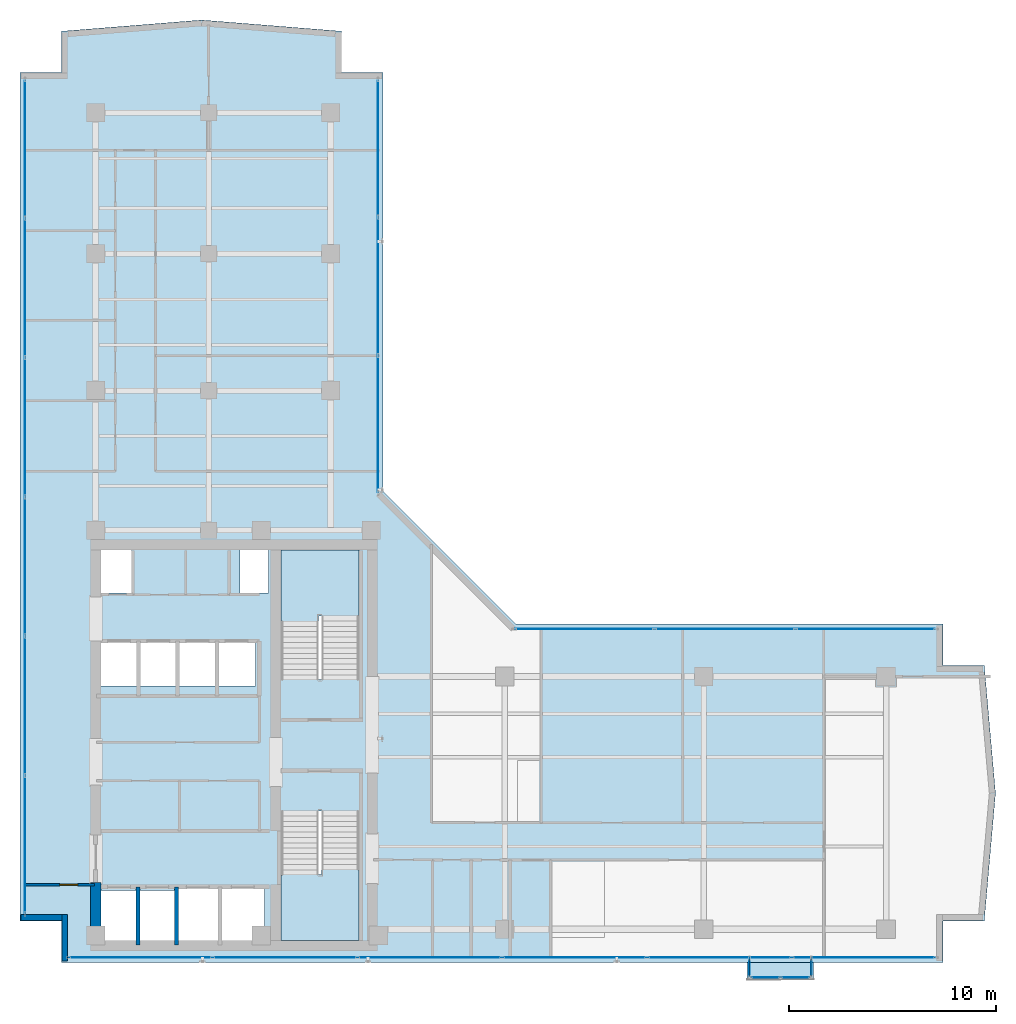
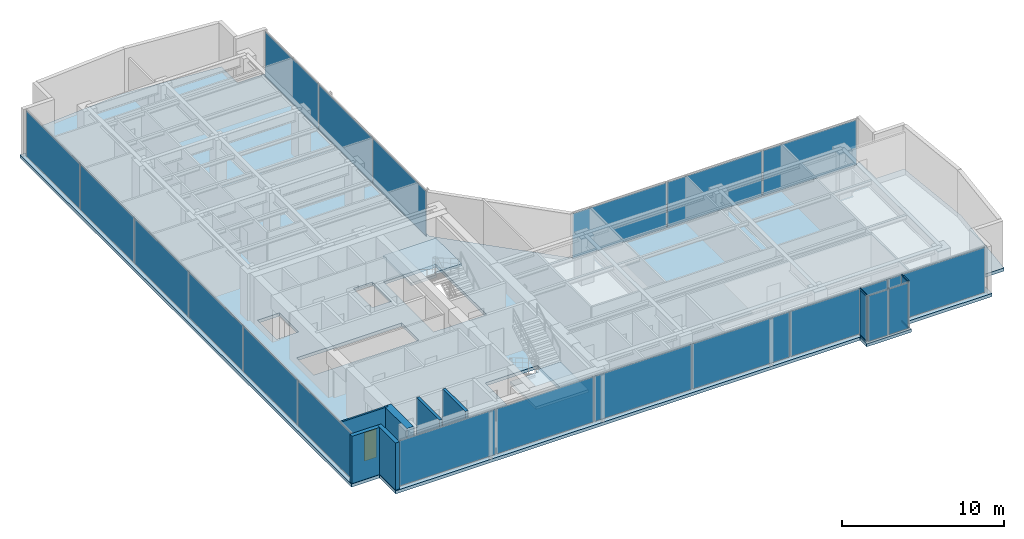
# One storey, part 15 of 23: 22 plates, 6 walls, 4 members, 4 slabs, 1 door, 1 opening, 9 elements without a shape of their own.
"""IFC4 building model written with IfcOpenShell, lengths in metres."""

from ifc_helpers import new_model, si_unit, direction, frame, frame_2d, origin, origin_with_axes, origin_2d, place, context, subcontext, project, spatial, polyline, rectangle, hollow_rectangle, outline, extrude, source, transform, mapped, material, layer, layer_set, material_profile, profile_set, type_object, element, fill, aggregate, save


model = new_model("IFC4")

# Units and contexts
model_context = context("Model", 3, precision=1e-05, world=origin(), true_north=direction((0.0, 1.0)))
body_context = subcontext(model_context, "Body", "Model", "MODEL_VIEW")
ifc_project = project(units=[si_unit("LENGTHUNIT", "METRE"), si_unit("AREAUNIT", "SQUARE_METRE"), si_unit("VOLUMEUNIT", "CUBIC_METRE"), si_unit("PLANEANGLEUNIT", "RADIAN"), si_unit("MASSUNIT", "GRAM", prefix="KILO")], contexts=[model_context])

# Site, building, storey
site_placement = place(None, origin())
site = spatial("IfcSite", under=ifc_project, at=site_placement, CompositionType="ELEMENT")
building_placement = place(site_placement, origin())
building = spatial("IfcBuilding", under=site, at=building_placement, Name="Kolvaren Waterfront Exchange", CompositionType="ELEMENT")
storey_placement = place(building_placement, frame((0.0, 0.0, 289.39990234375)))
storey = spatial("IfcBuildingStorey", under=building, at=storey_placement, Name="L74", CompositionType="ELEMENT", Elevation=289.39990234375)

# Curtain wall, members
ifc_material_1 = material(Name="Anodised bronze aluminium 6063-T6", Category="aluminium")
ifc_layer_1 = layer(ifc_material_1, 0.219970703125, Name="Anodised bronze aluminium 6063-T6")
ifc_layer_set_1 = layer_set([ifc_layer_1], Name="Anodised bronze aluminium 6063-T6")
curtain_wall_type_1 = type_object("IfcCurtainWallType", Name="ARC-CW-SYS3", PredefinedType="USERDEFINED", material=ifc_layer_set_1)
curtain_wall_1_placement = place(storey_placement, origin())
curtain_wall_1 = element("IfcCurtainWall", 1, at=curtain_wall_1_placement, inside=storey, type_object=curtain_wall_type_1, Name="L74 stick curtain wall CW3 (CW-L74-BOX-W)", ObjectType="STICK CURTAIN WALL", PredefinedType="USERDEFINED")
ifc_material_profile = material_profile(ifc_material_1, hollow_rectangle(XDim=0.06494140625, YDim=0.1298828125, WallThickness=0.00390625, at=origin_2d()), Name="ALU-TRN-130x65x4")
ifc_profile_set = profile_set([ifc_material_profile], Name="Anodised bronze aluminium 6063-T6")
member_type = type_object("IfcMemberType", Name="ARC-CWT-130", PredefinedType="USERDEFINED", material=ifc_profile_set)
shared_shape_1 = source(origin_with_axes(), body_context, "Body", "SweptSolid", [
    extrude(hollow_rectangle(XDim=0.06494140625, YDim=0.1298828125, WallThickness=0.00390625, at=origin_2d()), origin(), (0.0, 0.0, 1.0), 0.829833984375),
])
member_1_placement = place(storey_placement, frame((39.010009765625, 3.764892578125, 0.03271484375), z_axis=(0.0, -1.0, 0.0), x_axis=(1.0, 0.0, 0.0)))
member_1 = element("IfcMember", 2, at=member_1_placement, type_object=member_type, Name="CW3 transom 1.1", ObjectType="TRANSOM", PredefinedType="USERDEFINED", context=body_context, shape_type="MappedRepresentation", body=[
    mapped(shared_shape_1, transform((0.0, 0.0, 0.0), x_axis=(1.0, 0.0, 0.0), y_axis=(0.0, 1.0, 0.0), z_axis=(0.0, 0.0, 1.0), scale=1.0)),
])
member_2_placement = place(storey_placement, frame((39.010009765625, 3.764892578125, 3.527587890625), z_axis=(0.0, -1.0, 0.0), x_axis=(1.0, 0.0, 0.0)))
member_2 = element("IfcMember", 3, at=member_2_placement, type_object=member_type, Name="CW3 transom 1.2", ObjectType="TRANSOM", PredefinedType="USERDEFINED", context=body_context, shape_type="MappedRepresentation", body=[
    mapped(shared_shape_1, transform((0.0, 0.0, 0.0), x_axis=(1.0, 0.0, 0.0), y_axis=(0.0, 1.0, 0.0), z_axis=(0.0, 0.0, 1.0), scale=1.0)),
])

curtain_wall_2_placement = place(storey_placement, origin())
curtain_wall_2 = element("IfcCurtainWall", 4, at=curtain_wall_2_placement, inside=storey, type_object=curtain_wall_type_1, Name="L74 stick curtain wall CW3 (CW-L74-BOX-E)", ObjectType="STICK CURTAIN WALL", PredefinedType="USERDEFINED")
member_3_placement = place(storey_placement, frame((41.989990234375, 2.93505859375, 0.03271484375), z_axis=(0.0, 1.0, 0.0), x_axis=(-1.0, 0.0, 0.0)))
member_3 = element("IfcMember", 5, at=member_3_placement, type_object=member_type, Name="CW3 transom 1.1", ObjectType="TRANSOM", PredefinedType="USERDEFINED", context=body_context, shape_type="MappedRepresentation", body=[
    mapped(shared_shape_1, transform((0.0, 0.0, 0.0), x_axis=(1.0, 0.0, 0.0), y_axis=(0.0, 1.0, 0.0), z_axis=(0.0, 0.0, 1.0), scale=1.0)),
])
member_4_placement = place(storey_placement, frame((41.989990234375, 2.93505859375, 3.527587890625), z_axis=(0.0, 1.0, 0.0), x_axis=(-1.0, 0.0, 0.0)))
member_4 = element("IfcMember", 6, at=member_4_placement, type_object=member_type, Name="CW3 transom 1.2", ObjectType="TRANSOM", PredefinedType="USERDEFINED", context=body_context, shape_type="MappedRepresentation", body=[
    mapped(shared_shape_1, transform((0.0, 0.0, 0.0), x_axis=(1.0, 0.0, 0.0), y_axis=(0.0, 1.0, 0.0), z_axis=(0.0, 0.0, 1.0), scale=1.0)),
])

# Stair, slab
ifc_material_2 = material(Name="Concrete C40/50", Category="concrete")
stair_type = type_object("IfcStairType", Name="ARC-STAIR-3800", PredefinedType="HALF_TURN_STAIR", material=ifc_material_2)
stair_1_placement = place(storey_placement, origin())
stair_1 = element("IfcStair", 7, at=stair_1_placement, inside=storey, type_object=stair_type, Name="L74 Smoke-proof exit stair ST1", PredefinedType="HALF_TURN_STAIR")
ifc_layer_2 = layer(ifc_material_2, 0.199951171875, Name="Concrete C40/50")
ifc_layer_set_2 = layer_set([ifc_layer_2], Name="Concrete C40/50")
slab_type_1 = type_object("IfcSlabType", Name="STR-LANDING-200", PredefinedType="LANDING", material=ifc_layer_set_2)
slab_1_placement = place(storey_placement, frame((0.0, 0.0, 1.776123046875)))
slab_1 = element("IfcSlab", 8, at=slab_1_placement, type_object=slab_type_1, Name="ST1 landing 1", PredefinedType="LANDING", context=body_context, shape_type="SweptSolid", body=[
    extrude(outline(polyline([(16.39990234375, 7.840087890625), (16.39990234375, 4.64990234375), (20.159912109375, 4.64990234375), (20.159912109375, 8.10009765625), (18.360107421875, 8.10009765625), (18.360107421875, 7.840087890625), (16.39990234375, 7.840087890625)])), origin(), (0.0, 0.0, 1.0), 0.199951171875),
])
aggregate(stair_1, [slab_1])

stair_2_placement = place(storey_placement, origin())
stair_2 = element("IfcStair", 9, at=stair_2_placement, inside=storey, type_object=stair_type, Name="L74 Smoke-proof exit stair ST2", PredefinedType="HALF_TURN_STAIR")
slab_2_placement = place(storey_placement, frame((0.0, 0.0, 1.776123046875)))
slab_2 = element("IfcSlab", 10, at=slab_2_placement, type_object=slab_type_1, Name="ST2 landing 1", PredefinedType="LANDING", context=body_context, shape_type="SweptSolid", body=[
    extrude(outline(polyline([(20.159912109375, 20.31005859375), (20.159912109375, 23.5), (16.39990234375, 23.5), (16.39990234375, 20.050048828125), (18.199951171875, 20.050048828125), (18.199951171875, 20.31005859375), (20.159912109375, 20.31005859375)])), origin(), (0.0, 0.0, 1.0), 0.199951171875),
])
aggregate(stair_2, [slab_2])

# Slabs
ifc_layer_3 = layer(ifc_material_2, 0.239990234375, Name="Concrete C40/50")
ifc_layer_set_3 = layer_set([ifc_layer_3], Name="Concrete C40/50")
slab_type_2 = type_object("IfcSlabType", Name="STR-SLAB-240", PredefinedType="FLOOR", material=ifc_layer_set_3)
slab_3_placement = place(storey_placement, frame((0.0, 0.0, -0.239990234375)))
element("IfcSlab", 11, at=slab_3_placement, inside=storey, type_object=slab_type_2, Name="L74 structural floor slab", PredefinedType="FLOOR", context=body_context, shape_type="SweptSolid", body=[
    extrude(outline(polyline([(5.800048828125, 3.60009765625), (48.342041015625, 3.60009765625), (48.342041015625, 5.60009765625), (50.342041015625, 5.60009765625), (50.88427734375, 11.76318359375), (50.342041015625, 17.92626953125), (48.342041015625, 17.92626953125), (48.342041015625, 19.92626953125), (27.726318359375, 19.92626953125), (21.326416015625, 26.326416015625), (21.326416015625, 46.5419921875), (19.326416015625, 46.5419921875), (19.326416015625, 48.5419921875), (12.563232421875, 49.084228515625), (5.800048828125, 48.5419921875), (5.800048828125, 46.5419921875), (3.800048828125, 46.5419921875), (3.800048828125, 5.60009765625), (5.800048828125, 5.60009765625), (5.800048828125, 3.60009765625)]), holes=[polyline([(11.320068359375, 7.260009765625), (15.610107421875, 7.260009765625), (15.610107421875, 4.5400390625), (7.719970703125, 4.5400390625), (7.719970703125, 7.06005859375), (11.320068359375, 7.06005859375), (11.320068359375, 7.260009765625)]), polyline([(20.159912109375, 10.89990234375), (20.159912109375, 4.64990234375), (16.39990234375, 4.64990234375), (16.39990234375, 10.89990234375), (20.159912109375, 10.89990234375)]), polyline([(7.669921875, 19.06005859375), (15.159912109375, 19.06005859375), (15.159912109375, 16.93994140625), (7.669921875, 16.93994140625), (7.669921875, 19.06005859375)]), polyline([(16.39990234375, 17.25), (16.39990234375, 23.5), (20.159912109375, 23.5), (20.159912109375, 17.25), (16.39990234375, 17.25)]), polyline([(7.60009765625, 23.780029296875), (9.179931640625, 23.780029296875), (9.179931640625, 21.419921875), (7.60009765625, 21.419921875), (7.60009765625, 23.780029296875)]), polyline([(14.419921875, 23.780029296875), (15.800048828125, 23.780029296875), (15.800048828125, 21.419921875), (14.419921875, 21.419921875), (14.419921875, 23.780029296875)])]), origin(), (0.0, 0.0, 1.0), 0.239990234375),
])
ifc_layer_4 = layer(ifc_material_2, 0.219970703125, Name="Concrete C40/50")
ifc_layer_set_4 = layer_set([ifc_layer_4], Name="Concrete C40/50")
slab_type_3 = type_object("IfcSlabType", Name="STR-TERR-220", PredefinedType="FLOOR", material=ifc_layer_set_4)
slab_4_placement = place(storey_placement, frame((0.0, 0.0, -0.219970703125)))
element("IfcSlab", 12, at=slab_4_placement, inside=storey, type_object=slab_type_3, Name="L74 projecting bay-box floor strip", PredefinedType="FLOOR", context=body_context, shape_type="SweptSolid", body=[
    extrude(outline(polyline([(38.89990234375, 2.75), (42.10009765625, 2.75), (42.10009765625, 3.60009765625), (38.89990234375, 3.60009765625), (38.89990234375, 2.75)])), origin(), (0.0, 0.0, 1.0), 0.219970703125),
])

# Plate
ifc_material_3 = material(Name="Bronze tinted bay-box vision glass", Category="aluminium")
ifc_layer_5 = layer(ifc_material_3, 0.02392578125, Name="Bronze tinted bay-box vision glass")
ifc_layer_set_5 = layer_set([ifc_layer_5], Name="Bronze tinted bay-box vision glass")
plate_type_1 = type_object("IfcPlateType", Name="ARC-CWP-24", PredefinedType="CURTAIN_PANEL", material=ifc_layer_set_5)
shared_shape_2 = source(origin_with_axes(), body_context, "Body", "SweptSolid", [
    extrude(rectangle(XDim=0.830078125, YDim=0.02392578125, at=origin_2d()), origin(), (0.0, 0.0, 1.0), 3.429931640625),
])
plate_1_placement = place(storey_placement, frame((39.010009765625, 3.35009765625, 0.06494140625), z_axis=(0.0, 0.0, 1.0), x_axis=(0.0, -1.0, 0.0)))
plate_1 = element("IfcPlate", 13, at=plate_1_placement, type_object=plate_type_1, Name="CW3 panel 1.1", PredefinedType="CURTAIN_PANEL", context=body_context, shape_type="MappedRepresentation", body=[
    mapped(shared_shape_2, transform((0.0, 0.0, 0.0), x_axis=(1.0, 0.0, 0.0), y_axis=(0.0, 1.0, 0.0), z_axis=(0.0, 0.0, 1.0), scale=1.0)),
])

aggregate(curtain_wall_1, [member_1, member_2, plate_1])

plate_2_placement = place(storey_placement, frame((41.989990234375, 3.35009765625, 0.06494140625), z_axis=(0.0, 0.0, 1.0), x_axis=(0.0, 1.0, 0.0)))
plate_2 = element("IfcPlate", 14, at=plate_2_placement, type_object=plate_type_1, Name="CW3 panel 1.1", PredefinedType="CURTAIN_PANEL", context=body_context, shape_type="MappedRepresentation", body=[
    mapped(shared_shape_2, transform((0.0, 0.0, 0.0), x_axis=(1.0, 0.0, 0.0), y_axis=(0.0, 1.0, 0.0), z_axis=(0.0, 0.0, 1.0), scale=1.0)),
])

aggregate(curtain_wall_2, [member_3, member_4, plate_2])

# Curtain wall, plates
curtain_wall_3_placement = place(storey_placement, origin())
curtain_wall_3 = element("IfcCurtainWall", 15, at=curtain_wall_3_placement, inside=storey, type_object=curtain_wall_type_1, Name="L74 stick curtain wall CW3 (CW-L74-BOX)", ObjectType="STICK CURTAIN WALL", PredefinedType="USERDEFINED")
shared_shape_3 = source(origin_with_axes(), body_context, "Body", "SweptSolid", [
    extrude(rectangle(XDim=1.37744140625, YDim=0.02392578125, at=origin_2d()), origin(), (0.0, 0.0, 1.0), 3.429931640625),
])
plate_3_placement = place(storey_placement, frame((39.773681640625, 2.860107421875, 0.06494140625), z_axis=(0.0, 0.0, 1.0), x_axis=(1.0, 0.0, 0.0)))
plate_3 = element("IfcPlate", 16, at=plate_3_placement, type_object=plate_type_1, Name="CW3 panel 1.1", PredefinedType="CURTAIN_PANEL", context=body_context, shape_type="MappedRepresentation", body=[
    mapped(shared_shape_3, transform((0.0, 0.0, 0.0), x_axis=(1.0, 0.0, 0.0), y_axis=(0.0, 1.0, 0.0), z_axis=(0.0, 0.0, 1.0), scale=1.0)),
])
plate_4_placement = place(storey_placement, frame((41.226318359375, 2.860107421875, 0.06494140625), z_axis=(0.0, 0.0, 1.0), x_axis=(1.0, 0.0, 0.0)))
plate_4 = element("IfcPlate", 17, at=plate_4_placement, type_object=plate_type_1, Name="CW3 panel 2.1", PredefinedType="CURTAIN_PANEL", context=body_context, shape_type="MappedRepresentation", body=[
    mapped(shared_shape_3, transform((0.0, 0.0, 0.0), x_axis=(1.0, 0.0, 0.0), y_axis=(0.0, 1.0, 0.0), z_axis=(0.0, 0.0, 1.0), scale=1.0)),
])
aggregate(curtain_wall_3, [plate_3, plate_4])

ifc_layer_6 = layer(ifc_material_1, 0.219970703125, Name="Anodised bronze aluminium 6063-T6")
ifc_layer_set_6 = layer_set([ifc_layer_6], Name="Anodised bronze aluminium 6063-T6")
curtain_wall_type_2 = type_object("IfcCurtainWallType", Name="ARC-CW-SYS1", PredefinedType="USERDEFINED", material=ifc_layer_set_6)
curtain_wall_4_placement = place(storey_placement, origin())
curtain_wall_4 = element("IfcCurtainWall", 18, at=curtain_wall_4_placement, inside=storey, type_object=curtain_wall_type_2, Name="L74 stick curtain wall CW1 (CW-L74-S)", ObjectType="STICK CURTAIN WALL", PredefinedType="USERDEFINED")
ifc_material_4 = material(Name="Bronze solar control vision glass", Category="aluminium")
ifc_layer_7 = layer(ifc_material_4, 0.028076171875, Name="Bronze solar control vision glass")
ifc_layer_set_7 = layer_set([ifc_layer_7], Name="Bronze solar control vision glass")
plate_type_2 = type_object("IfcPlateType", Name="ARC-CWP-28", PredefinedType="CURTAIN_PANEL", material=ifc_layer_set_7)
shared_shape_4 = source(origin_with_axes(), body_context, "Body", "SweptSolid", [
    extrude(rectangle(XDim=6.870361328125, YDim=0.028076171875, at=origin_2d()), origin(), (0.0, 0.0, 1.0), 3.409912109375),
])
plate_5_placement = place(storey_placement, frame((9.615234375, 3.840087890625, 0.0751953125), z_axis=(0.0, 0.0, 1.0), x_axis=(1.0, 0.0, 0.0)))
plate_5 = element("IfcPlate", 19, at=plate_5_placement, type_object=plate_type_2, Name="CW1 panel 1.1", PredefinedType="CURTAIN_PANEL", context=body_context, shape_type="MappedRepresentation", body=[
    mapped(shared_shape_4, transform((0.0, 0.0, 0.0), x_axis=(1.0, 0.0, 0.0), y_axis=(0.0, 1.0, 0.0), z_axis=(0.0, 0.0, 1.0), scale=1.0)),
])
plate_6_placement = place(storey_placement, frame((44.52685546875, 3.840087890625, 0.0751953125), z_axis=(0.0, 0.0, 1.0), x_axis=(1.0, 0.0, 0.0)))
plate_6 = element("IfcPlate", 20, at=plate_6_placement, type_object=plate_type_2, Name="CW1 panel 6.1", PredefinedType="CURTAIN_PANEL", context=body_context, shape_type="MappedRepresentation", body=[
    mapped(shared_shape_4, transform((0.0, 0.0, 0.0), x_axis=(1.0, 0.0, 0.0), y_axis=(0.0, 1.0, 0.0), z_axis=(0.0, 0.0, 1.0), scale=1.0)),
])
shared_shape_5 = source(origin_with_axes(), body_context, "Body", "SweptSolid", [
    extrude(rectangle(XDim=6.910400390625, YDim=0.028076171875, at=origin_2d()), origin(), (0.0, 0.0, 1.0), 3.409912109375),
])
plate_7_placement = place(storey_placement, frame((16.58544921875, 3.840087890625, 0.0751953125), z_axis=(0.0, 0.0, 1.0), x_axis=(1.0, 0.0, 0.0)))
plate_7 = element("IfcPlate", 21, at=plate_7_placement, type_object=plate_type_2, Name="CW1 panel 2.1", PredefinedType="CURTAIN_PANEL", context=body_context, shape_type="MappedRepresentation", body=[
    mapped(shared_shape_5, transform((0.0, 0.0, 0.0), x_axis=(1.0, 0.0, 0.0), y_axis=(0.0, 1.0, 0.0), z_axis=(0.0, 0.0, 1.0), scale=1.0)),
])
plate_8_placement = place(storey_placement, frame((23.575927734375, 3.840087890625, 0.0751953125), z_axis=(0.0, 0.0, 1.0), x_axis=(1.0, 0.0, 0.0)))
plate_8 = element("IfcPlate", 22, at=plate_8_placement, type_object=plate_type_2, Name="CW1 panel 3.1", PredefinedType="CURTAIN_PANEL", context=body_context, shape_type="MappedRepresentation", body=[
    mapped(shared_shape_5, transform((0.0, 0.0, 0.0), x_axis=(1.0, 0.0, 0.0), y_axis=(0.0, 1.0, 0.0), z_axis=(0.0, 0.0, 1.0), scale=1.0)),
])
plate_9_placement = place(storey_placement, frame((30.566162109375, 3.840087890625, 0.0751953125), z_axis=(0.0, 0.0, 1.0), x_axis=(1.0, 0.0, 0.0)))
plate_9 = element("IfcPlate", 23, at=plate_9_placement, type_object=plate_type_2, Name="CW1 panel 4.1", PredefinedType="CURTAIN_PANEL", context=body_context, shape_type="MappedRepresentation", body=[
    mapped(shared_shape_5, transform((0.0, 0.0, 0.0), x_axis=(1.0, 0.0, 0.0), y_axis=(0.0, 1.0, 0.0), z_axis=(0.0, 0.0, 1.0), scale=1.0)),
])
plate_10_placement = place(storey_placement, frame((37.556640625, 3.840087890625, 0.0751953125), z_axis=(0.0, 0.0, 1.0), x_axis=(1.0, 0.0, 0.0)))
plate_10 = element("IfcPlate", 24, at=plate_10_placement, type_object=plate_type_2, Name="CW1 panel 5.1", PredefinedType="CURTAIN_PANEL", context=body_context, shape_type="MappedRepresentation", body=[
    mapped(shared_shape_5, transform((0.0, 0.0, 0.0), x_axis=(1.0, 0.0, 0.0), y_axis=(0.0, 1.0, 0.0), z_axis=(0.0, 0.0, 1.0), scale=1.0)),
])
aggregate(curtain_wall_4, [plate_5, plate_7, plate_8, plate_9, plate_10, plate_6])

ifc_material_5 = material(Name="Anodised aluminium 6063-T6", Category="aluminium")
ifc_layer_8 = layer(ifc_material_5, 0.219970703125, Name="Anodised aluminium 6063-T6")
ifc_layer_set_8 = layer_set([ifc_layer_8], Name="Anodised aluminium 6063-T6")
curtain_wall_type_3 = type_object("IfcCurtainWallType", Name="ARC-CW-SYS2", PredefinedType="USERDEFINED", material=ifc_layer_set_8)
curtain_wall_5_placement = place(storey_placement, origin())
curtain_wall_5 = element("IfcCurtainWall", 25, at=curtain_wall_5_placement, inside=storey, type_object=curtain_wall_type_3, Name="L74 stick curtain wall CW2 (CW-L74-W)", ObjectType="STICK CURTAIN WALL", PredefinedType="USERDEFINED")
ifc_material_6 = material(Name="Acoustic laminated vision glass", Category="glass")
ifc_layer_9 = layer(ifc_material_6, 0.031982421875, Name="Acoustic laminated vision glass")
ifc_layer_set_9 = layer_set([ifc_layer_9], Name="Acoustic laminated vision glass")
plate_type_3 = type_object("IfcPlateType", Name="ARC-CWP-32", PredefinedType="CURTAIN_PANEL", material=ifc_layer_set_9)
shared_shape_6 = source(origin_with_axes(), body_context, "Body", "SweptSolid", [
    extrude(rectangle(XDim=6.603759765625, YDim=0.031982421875, at=origin_2d()), origin(), (0.0, 0.0, 1.0), 3.409912109375),
])
plate_11_placement = place(storey_placement, frame((4.0400390625, 9.28173828125, 0.0751953125), z_axis=(0.0, 0.0, 1.0), x_axis=(0.0, 1.0, 0.0)))
plate_11 = element("IfcPlate", 26, at=plate_11_placement, type_object=plate_type_3, Name="CW2 panel 1.1", PredefinedType="CURTAIN_PANEL", context=body_context, shape_type="MappedRepresentation", body=[
    mapped(shared_shape_6, transform((0.0, 0.0, 0.0), x_axis=(1.0, 0.0, 0.0), y_axis=(0.0, 1.0, 0.0), z_axis=(0.0, 0.0, 1.0), scale=1.0)),
])
plate_12_placement = place(storey_placement, frame((4.0400390625, 42.8603515625, 0.0751953125), z_axis=(0.0, 0.0, 1.0), x_axis=(0.0, 1.0, 0.0)))
plate_12 = element("IfcPlate", 27, at=plate_12_placement, type_object=plate_type_3, Name="CW2 panel 6.1", PredefinedType="CURTAIN_PANEL", context=body_context, shape_type="MappedRepresentation", body=[
    mapped(shared_shape_6, transform((0.0, 0.0, 0.0), x_axis=(1.0, 0.0, 0.0), y_axis=(0.0, 1.0, 0.0), z_axis=(0.0, 0.0, 1.0), scale=1.0)),
])
shared_shape_7 = source(origin_with_axes(), body_context, "Body", "SweptSolid", [
    extrude(rectangle(XDim=6.643798828125, YDim=0.031982421875, at=origin_2d()), origin(), (0.0, 0.0, 1.0), 3.409912109375),
])
plate_13_placement = place(storey_placement, frame((4.0400390625, 15.985595703125, 0.0751953125), z_axis=(0.0, 0.0, 1.0), x_axis=(0.0, 1.0, 0.0)))
plate_13 = element("IfcPlate", 28, at=plate_13_placement, type_object=plate_type_3, Name="CW2 panel 2.1", PredefinedType="CURTAIN_PANEL", context=body_context, shape_type="MappedRepresentation", body=[
    mapped(shared_shape_7, transform((0.0, 0.0, 0.0), x_axis=(1.0, 0.0, 0.0), y_axis=(0.0, 1.0, 0.0), z_axis=(0.0, 0.0, 1.0), scale=1.0)),
])
plate_14_placement = place(storey_placement, frame((4.0400390625, 22.709228515625, 0.0751953125), z_axis=(0.0, 0.0, 1.0), x_axis=(0.0, 1.0, 0.0)))
plate_14 = element("IfcPlate", 29, at=plate_14_placement, type_object=plate_type_3, Name="CW2 panel 3.1", PredefinedType="CURTAIN_PANEL", context=body_context, shape_type="MappedRepresentation", body=[
    mapped(shared_shape_7, transform((0.0, 0.0, 0.0), x_axis=(1.0, 0.0, 0.0), y_axis=(0.0, 1.0, 0.0), z_axis=(0.0, 0.0, 1.0), scale=1.0)),
])
plate_15_placement = place(storey_placement, frame((4.0400390625, 29.432861328125, 0.0751953125), z_axis=(0.0, 0.0, 1.0), x_axis=(0.0, 1.0, 0.0)))
plate_15 = element("IfcPlate", 30, at=plate_15_placement, type_object=plate_type_3, Name="CW2 panel 4.1", PredefinedType="CURTAIN_PANEL", context=body_context, shape_type="MappedRepresentation", body=[
    mapped(shared_shape_7, transform((0.0, 0.0, 0.0), x_axis=(1.0, 0.0, 0.0), y_axis=(0.0, 1.0, 0.0), z_axis=(0.0, 0.0, 1.0), scale=1.0)),
])
plate_16_placement = place(storey_placement, frame((4.0400390625, 36.156494140625, 0.0751953125), z_axis=(0.0, 0.0, 1.0), x_axis=(0.0, 1.0, 0.0)))
plate_16 = element("IfcPlate", 31, at=plate_16_placement, type_object=plate_type_3, Name="CW2 panel 5.1", PredefinedType="CURTAIN_PANEL", context=body_context, shape_type="MappedRepresentation", body=[
    mapped(shared_shape_7, transform((0.0, 0.0, 0.0), x_axis=(1.0, 0.0, 0.0), y_axis=(0.0, 1.0, 0.0), z_axis=(0.0, 0.0, 1.0), scale=1.0)),
])
aggregate(curtain_wall_5, [plate_11, plate_13, plate_14, plate_15, plate_16, plate_12])

curtain_wall_6_placement = place(storey_placement, origin())
curtain_wall_6 = element("IfcCurtainWall", 32, at=curtain_wall_6_placement, inside=storey, type_object=curtain_wall_type_2, Name="L74 stick curtain wall CW1 (CW-L74-NE)", ObjectType="STICK CURTAIN WALL", PredefinedType="USERDEFINED")
shared_shape_8 = source(origin_with_axes(), body_context, "Body", "SweptSolid", [
    extrude(rectangle(XDim=6.55517578125, YDim=0.028076171875, at=origin_2d()), origin(), (0.0, 0.0, 1.0), 3.409912109375),
])
plate_17_placement = place(storey_placement, frame((21.086181640625, 29.573974609375, 0.0751953125), z_axis=(0.0, 0.0, 1.0), x_axis=(0.0, 1.0, 0.0)))
plate_17 = element("IfcPlate", 33, at=plate_17_placement, type_object=plate_type_2, Name="CW1 panel 1.1", PredefinedType="CURTAIN_PANEL", context=body_context, shape_type="MappedRepresentation", body=[
    mapped(shared_shape_8, transform((0.0, 0.0, 0.0), x_axis=(1.0, 0.0, 0.0), y_axis=(0.0, 1.0, 0.0), z_axis=(0.0, 0.0, 1.0), scale=1.0)),
])
plate_18_placement = place(storey_placement, frame((21.086181640625, 42.884521484375, 0.0751953125), z_axis=(0.0, 0.0, 1.0), x_axis=(0.0, 1.0, 0.0)))
plate_18 = element("IfcPlate", 34, at=plate_18_placement, type_object=plate_type_2, Name="CW1 panel 3.1", PredefinedType="CURTAIN_PANEL", context=body_context, shape_type="MappedRepresentation", body=[
    mapped(shared_shape_8, transform((0.0, 0.0, 0.0), x_axis=(1.0, 0.0, 0.0), y_axis=(0.0, 1.0, 0.0), z_axis=(0.0, 0.0, 1.0), scale=1.0)),
])
shared_shape_9 = source(origin_with_axes(), body_context, "Body", "SweptSolid", [
    extrude(rectangle(XDim=6.59521484375, YDim=0.028076171875, at=origin_2d()), origin(), (0.0, 0.0, 1.0), 3.409912109375),
])
plate_19_placement = place(storey_placement, frame((21.086181640625, 36.229248046875, 0.0751953125), z_axis=(0.0, 0.0, 1.0), x_axis=(0.0, 1.0, 0.0)))
plate_19 = element("IfcPlate", 35, at=plate_19_placement, type_object=plate_type_2, Name="CW1 panel 2.1", PredefinedType="CURTAIN_PANEL", context=body_context, shape_type="MappedRepresentation", body=[
    mapped(shared_shape_9, transform((0.0, 0.0, 0.0), x_axis=(1.0, 0.0, 0.0), y_axis=(0.0, 1.0, 0.0), z_axis=(0.0, 0.0, 1.0), scale=1.0)),
])
aggregate(curtain_wall_6, [plate_17, plate_19, plate_18])

curtain_wall_7_placement = place(storey_placement, origin())
curtain_wall_7 = element("IfcCurtainWall", 36, at=curtain_wall_7_placement, inside=storey, type_object=curtain_wall_type_2, Name="L74 stick curtain wall CW1 (CW-L74-EN)", ObjectType="STICK CURTAIN WALL", PredefinedType="USERDEFINED")
shared_shape_10 = source(origin_with_axes(), body_context, "Body", "SweptSolid", [
    extrude(rectangle(XDim=6.688720703125, YDim=0.028076171875, at=origin_2d()), origin(), (0.0, 0.0, 1.0), 3.409912109375),
])
plate_20_placement = place(storey_placement, frame((31.04052734375, 19.686279296875, 0.0751953125), z_axis=(0.0, 0.0, 1.0), x_axis=(1.0, 0.0, 0.0)))
plate_20 = element("IfcPlate", 37, at=plate_20_placement, type_object=plate_type_2, Name="CW1 panel 1.1", PredefinedType="CURTAIN_PANEL", context=body_context, shape_type="MappedRepresentation", body=[
    mapped(shared_shape_10, transform((0.0, 0.0, 0.0), x_axis=(1.0, 0.0, 0.0), y_axis=(0.0, 1.0, 0.0), z_axis=(0.0, 0.0, 1.0), scale=1.0)),
])
plate_21_placement = place(storey_placement, frame((44.617919921875, 19.686279296875, 0.0751953125), z_axis=(0.0, 0.0, 1.0), x_axis=(1.0, 0.0, 0.0)))
plate_21 = element("IfcPlate", 38, at=plate_21_placement, type_object=plate_type_2, Name="CW1 panel 3.1", PredefinedType="CURTAIN_PANEL", context=body_context, shape_type="MappedRepresentation", body=[
    mapped(shared_shape_10, transform((0.0, 0.0, 0.0), x_axis=(1.0, 0.0, 0.0), y_axis=(0.0, 1.0, 0.0), z_axis=(0.0, 0.0, 1.0), scale=1.0)),
])
shared_shape_11 = source(origin_with_axes(), body_context, "Body", "SweptSolid", [
    extrude(rectangle(XDim=6.728515625, YDim=0.028076171875, at=origin_2d()), origin(), (0.0, 0.0, 1.0), 3.409912109375),
])
plate_22_placement = place(storey_placement, frame((37.8291015625, 19.686279296875, 0.0751953125), z_axis=(0.0, 0.0, 1.0), x_axis=(1.0, 0.0, 0.0)))
plate_22 = element("IfcPlate", 39, at=plate_22_placement, type_object=plate_type_2, Name="CW1 panel 2.1", PredefinedType="CURTAIN_PANEL", context=body_context, shape_type="MappedRepresentation", body=[
    mapped(shared_shape_11, transform((0.0, 0.0, 0.0), x_axis=(1.0, 0.0, 0.0), y_axis=(0.0, 1.0, 0.0), z_axis=(0.0, 0.0, 1.0), scale=1.0)),
])
aggregate(curtain_wall_7, [plate_20, plate_22, plate_21])

# Walls
ifc_material_7 = material(Name="Precast concrete C40/50", Category="concrete")
ifc_layer_10 = layer(ifc_material_7, 0.280029296875, Name="Precast concrete C40/50")
ifc_layer_set_10 = layer_set([ifc_layer_10], Name="Precast concrete C40/50")
wall_type_1 = type_object("IfcWallType", Name="ARC-EXT-TERR-280", PredefinedType="SOLIDWALL", material=ifc_layer_set_10)
wall_1_placement = place(storey_placement, frame((5.9599609375, 3.659912109375, 0.0), z_axis=(0.0, 0.0, 1.0), x_axis=(0.0, 1.0, 0.0)))
element("IfcWall", 40, at=wall_1_placement, inside=storey, type_object=wall_type_1, Name="L74 notched corner spandrel pier SW-A", PredefinedType="SOLIDWALL", context=body_context, shape_type="SweptSolid", body=[
    extrude(rectangle(XDim=2.239990234375, YDim=0.280029296875, at=frame_2d((1.1201171875, 0.0))), origin(), (0.0, 0.0, 1.0), 3.56005859375),
])
wall_2_placement = place(storey_placement, frame((3.860107421875, 5.760009765625, 0.0), z_axis=(0.0, 0.0, 1.0), x_axis=(1.0, 0.0, 0.0)))
element("IfcWall", 41, at=wall_2_placement, inside=storey, type_object=wall_type_1, Name="L74 notched corner spandrel pier SW-B", PredefinedType="SOLIDWALL", context=body_context, shape_type="SweptSolid", body=[
    extrude(rectangle(XDim=1.9599609375, YDim=0.280029296875, at=frame_2d((0.97998046875, 0.0))), origin(), (0.0, 0.0, 1.0), 3.56005859375),
])

# Wall, opening, door
ifc_material_8 = material(Name="Acoustic gypsum steel stud", Category="steel")
ifc_layer_11 = layer(ifc_material_8, 0.125, Name="Acoustic gypsum steel stud")
ifc_layer_set_11 = layer_set([ifc_layer_11], Name="Acoustic gypsum steel stud")
wall_type_2 = type_object("IfcWallType", Name="ARC-PART-125", PredefinedType="PARTITIONING", material=ifc_layer_set_11)
wall_3_placement = place(storey_placement, frame((4.0400390625, 7.35009765625, 0.0), z_axis=(0.0, 0.0, 1.0), x_axis=(1.0, 0.0, 0.0)))
wall_3 = element("IfcWall", 42, at=wall_3_placement, inside=storey, type_object=wall_type_2, Name="L74 interior wall PW-L74-SWC-N", PredefinedType="PARTITIONING", context=body_context, shape_type="SweptSolid", body=[
    extrude(rectangle(XDim=3.35986328125, YDim=0.125, at=frame_2d((1.679931640625, 0.0))), origin(), (0.0, 0.0, 1.0), 3.56005859375),
])
opening_placement = place(wall_3_placement, frame((1.686767578125, 0.0, 0.0)))
opening = element("IfcOpeningElement", 43, at=opening_placement, cuts=wall_3, Name="Opening D01", PredefinedType="OPENING", context=body_context, shape_type="SweptSolid", body=[
    extrude(rectangle(XDim=0.85009765625, YDim=2.14990234375, at=frame_2d((0.425048828125, 1.074951171875))), frame((0.0, 0.072509765625, 0.0), z_axis=(0.0, -1.0, 0.0), x_axis=(1.0, 0.0, 0.0)), (0.0, 0.0, 1.0), 0.14501953125),
])
ifc_material_9 = material(Name="Oak veneer timber leaf", Category="wood")
door_type = type_object("IfcDoorType", Name="ARC-DR-900", OperationType="NOTDEFINED", PredefinedType="DOOR", material=ifc_material_9)
door_placement = place(opening_placement, origin())
door = element("IfcDoor", 44, at=door_placement, inside=storey, type_object=door_type, Name="L74 door DR-L74-SWC-D (D01)", OperationType="SINGLE_SWING_LEFT", OverallHeight=2.14990234375, OverallWidth=0.85009765625, PredefinedType="DOOR", context=body_context, shape_type="SweptSolid", body=[
    extrude(rectangle(XDim=0.85009765625, YDim=2.14990234375, at=frame_2d((0.425048828125, 1.074951171875))), frame((0.0, 0.02490234375, 0.0), z_axis=(0.0, -1.0, 0.0), x_axis=(1.0, 0.0, 0.0)), (0.0, 0.0, 1.0), 0.050048828125),
])
fill(opening, door)

# Walls
ifc_layer_12 = layer(ifc_material_2, 0.199951171875, Name="Concrete C40/50")
ifc_layer_set_12 = layer_set([ifc_layer_12], Name="Concrete C40/50")
wall_type_3 = type_object("IfcWallType", Name="ARC-SHAFT-200", PredefinedType="PARTITIONING", material=ifc_layer_set_12)
for number, where, z_axis, x_axis, name in (
    (45, (9.5, 4.449951171875, 0.0), (0.0, 0.0, 1.0), (0.0, 1.0, 0.0), "L74 interior wall PW-L74-SH1-DIV-95"),
    (46, (11.360107421875, 4.449951171875, 0.0), (0.0, 0.0, 1.0), (0.0, 1.0, 0.0), "L74 interior wall PW-L74-SH1-DIV-113"),
):
    element("IfcWall", number, at=place(storey_placement, frame(where, z_axis=z_axis, x_axis=x_axis)), inside=storey, type_object=wall_type_3, Name=name, PredefinedType="PARTITIONING", context=body_context, shape_type="SweptSolid", body=[
        extrude(rectangle(XDim=2.800048828125, YDim=0.199951171875, at=frame_2d((1.39990234375, 0.0))), origin(), (0.0, 0.0, 1.0), 3.56005859375),
    ])
ifc_material_10 = material(Name="Concrete C50/60", Category="concrete")
ifc_layer_13 = layer(ifc_material_10, 0.5, Name="Concrete C50/60")
ifc_layer_set_13 = layer_set([ifc_layer_13], Name="Concrete C50/60")
wall_type_4 = type_object("IfcWallType", Name="STR-CWALL-500", PredefinedType="SHEAR", material=ifc_layer_set_13)
wall_4_placement = place(storey_placement, frame((7.449951171875, 4.64990234375, 0.0), z_axis=(0.0, 0.0, 1.0), x_axis=(0.0, 1.0, 0.0)))
element("IfcWall", 47, at=wall_4_placement, inside=storey, type_object=wall_type_4, Name="L74 rear-core shear wall W1", PredefinedType="SHEAR", context=body_context, shape_type="SweptSolid", body=[
    extrude(rectangle(XDim=2.800048828125, YDim=0.5, at=frame_2d((1.39990234375, 0.0))), origin(), (0.0, 0.0, 1.0), 3.56005859375),
])

save(model, "model.ifc")
